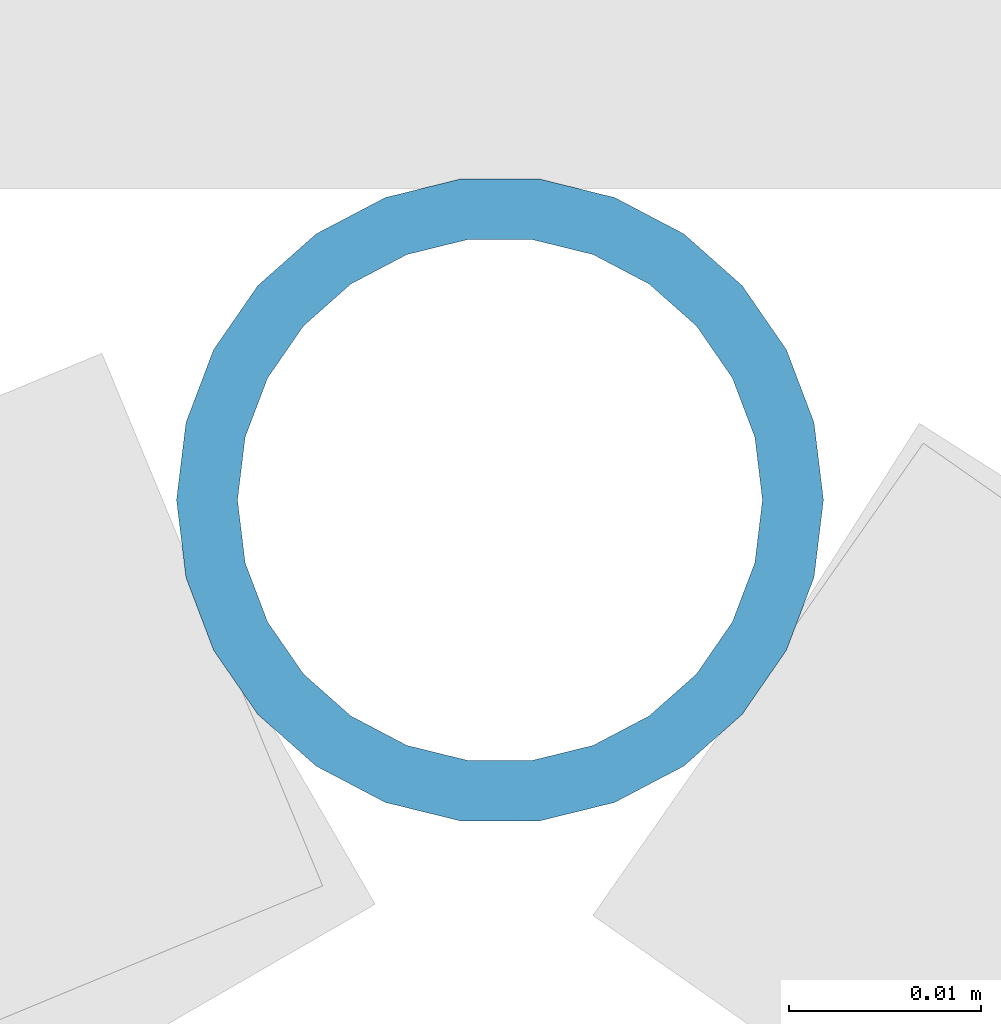
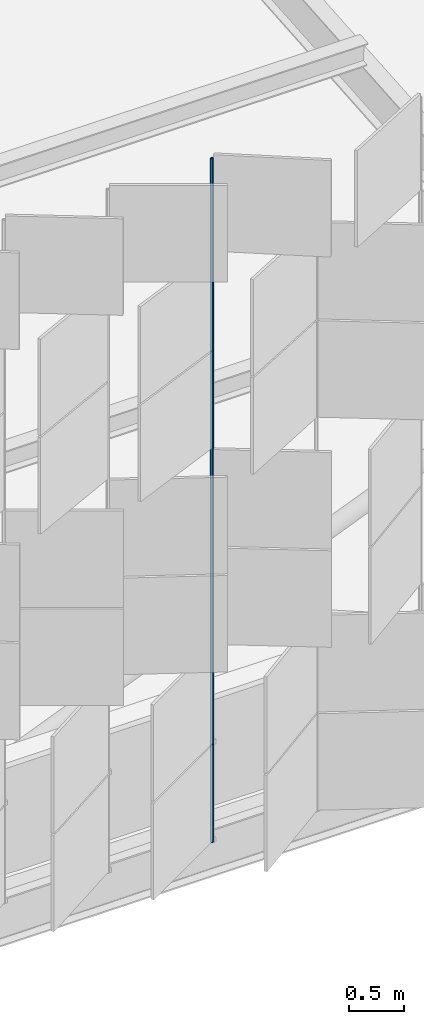
# One storey, part 226 of 483: 1 discrete accessory.
"""IFC4 building model written with IfcOpenShell, lengths in metres."""

from ifc_helpers import new_model, si_unit, direction, frame, origin, origin_2d, place, context, subcontext, project, spatial, hollow_circle, extrude, material, material_profile, profile_set, type_object, element, save


model = new_model("IFC4")

# Units and contexts
model_context = context("Model", 3, precision=1e-05, world=origin(), true_north=direction((0.0, 1.0)))
body_context = subcontext(model_context, "Body", "Model", "MODEL_VIEW")
ifc_project = project(units=[si_unit("LENGTHUNIT", "METRE"), si_unit("AREAUNIT", "SQUARE_METRE"), si_unit("VOLUMEUNIT", "CUBIC_METRE"), si_unit("PLANEANGLEUNIT", "RADIAN"), si_unit("MASSUNIT", "GRAM", prefix="KILO")], contexts=[model_context])

# Site, building, storey
site_placement = place(None, origin())
site = spatial("IfcSite", under=ifc_project, at=site_placement, CompositionType="ELEMENT")
building_placement = place(site_placement, origin())
building = spatial("IfcBuilding", under=site, at=building_placement, Name="Parallax Yard Mobility Hub", CompositionType="ELEMENT")
storey_placement = place(building_placement, frame((0.0, 0.0, 13.199951171875)))
storey = spatial("IfcBuildingStorey", under=building, at=storey_placement, Name="L04", CompositionType="ELEMENT", Elevation=13.199951171875)

# Discrete accessory
ifc_material = material(Name="Steel ASTM A500 Gr C, hot-dip galvanised", Category="steel")
ifc_material_profile = material_profile(ifc_material, hollow_circle(Radius=0.016845703125, WallThickness=0.003173828125, at=origin_2d()), Name="CHS 33.7x3.2")
ifc_profile_set = profile_set([ifc_material_profile], Name="Steel ASTM A500 Gr C, hot-dip galvanised")
discrete_accessory_type = type_object("IfcDiscreteAccessoryType", Name="Hinge post CHS 33.7x3.2", PredefinedType="BRACKET", material=ifc_profile_set)
discrete_accessory_placement = place(storey_placement, frame((160.70849609375, 112.0517578125, 0.0), z_axis=(0.0, 0.0, 1.0), x_axis=(1.0, 0.0, 0.0)))
element("IfcDiscreteAccessory", 1, at=discrete_accessory_placement, inside=storey, type_object=discrete_accessory_type, Name="Hinge post bay 16.4 level L04", PredefinedType="BRACKET", context=body_context, shape_type="SweptSolid", body=[
    extrude(hollow_circle(Radius=0.016845703125, WallThickness=0.003173828125, at=origin_2d()), origin(), (0.0, 0.0, 1.0), 7.650146484375),
])

save(model, "model.ifc")
